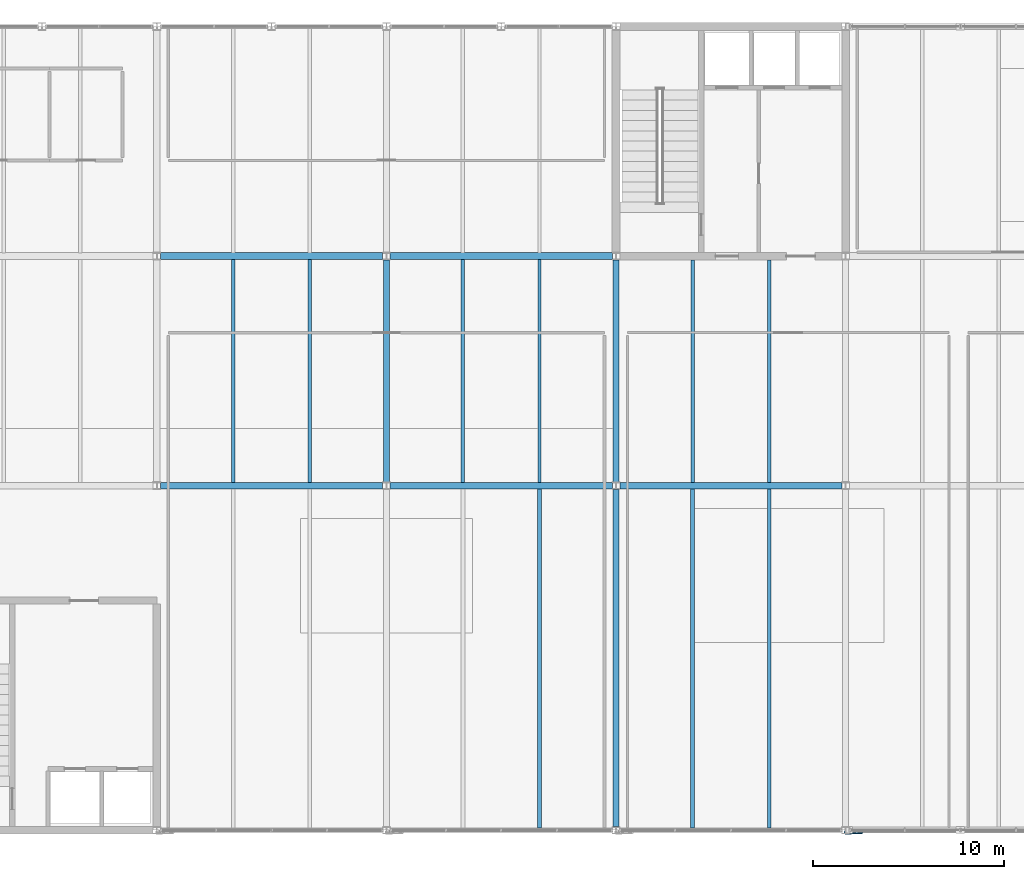
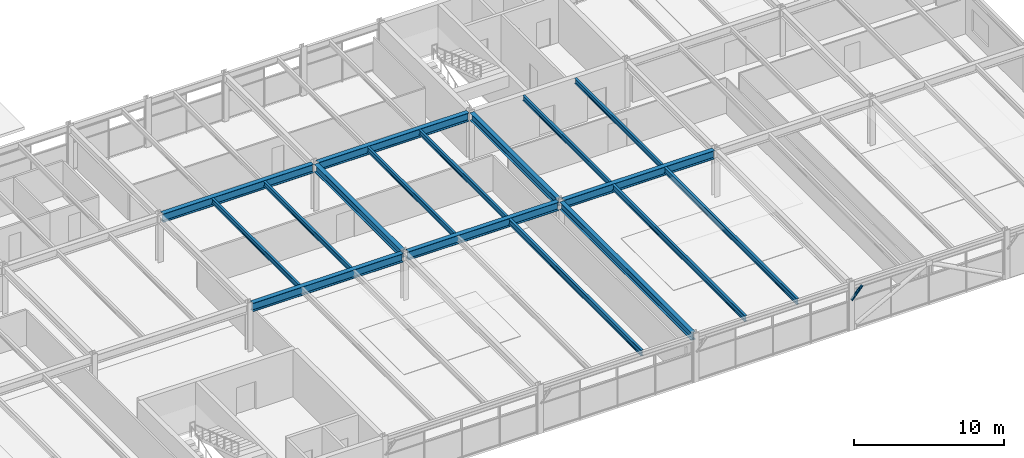
# One storey, part 30 of 49: 17 beams, 1 member.
"""IFC4 building model written with IfcOpenShell, lengths in metres."""

from ifc_helpers import new_model, si_unit, direction, frame, origin, origin_2d, place, context, subcontext, project, spatial, hollow_circle, i_section, extrude, material, material_profile, profile_set, type_object, element, save


model = new_model("IFC4")

# Units and contexts
model_context = context("Model", 3, precision=1e-05, world=origin(), true_north=direction((0.0, 1.0)))
body_context = subcontext(model_context, "Body", "Model", "MODEL_VIEW")
ifc_project = project(units=[si_unit("LENGTHUNIT", "METRE"), si_unit("AREAUNIT", "SQUARE_METRE"), si_unit("VOLUMEUNIT", "CUBIC_METRE"), si_unit("PLANEANGLEUNIT", "RADIAN"), si_unit("MASSUNIT", "GRAM", prefix="KILO")], contexts=[model_context])

# Site, building, storey
site_placement = place(None, origin())
site = spatial("IfcSite", under=ifc_project, at=site_placement, CompositionType="ELEMENT")
building_placement = place(site_placement, origin())
building = spatial("IfcBuilding", under=site, at=building_placement, Name="Girod Span Mobility Hub", CompositionType="ELEMENT")
storey_placement = place(building_placement, frame((0.0, 0.0, 37.60009765625)))
storey = spatial("IfcBuildingStorey", under=building, at=storey_placement, Name="L09", CompositionType="ELEMENT", Elevation=37.60009765625)

# Beams
ifc_material_1 = material(Name="Steel A992 Grade 50", Category="steel")
ifc_material_profile_1 = material_profile(ifc_material_1, i_section(OverallWidth=0.178955078125, OverallDepth=0.409912109375, WebThickness=0.0087890625, FlangeThickness=0.014404296875, FilletRadius=0.012939453125, at=origin_2d()), Name="W16X45")
ifc_profile_set_1 = profile_set([ifc_material_profile_1], Name="Steel A992 Grade 50")
beam_type_1 = type_object("IfcBeamType", Name="BM-STL-W16X45", PredefinedType="BEAM", material=ifc_profile_set_1)
for number, where, z_axis, x_axis, name in (
    (1, (88.0, 45.174560546875, 3.6298828125), (0.0, 1.0, 0.0), (-1.0, 0.0, 0.0), "Composite Floorbeam 8/D-1 L09"),
    (2, (92.0, 45.174560546875, 3.6298828125), (0.0, 1.0, 0.0), (-1.0, 0.0, 0.0), "Composite Floorbeam 8/D-2 L09"),
    (3, (100.0, 45.174560546875, 3.6298828125), (0.0, 1.0, 0.0), (-1.0, 0.0, 0.0), "Composite Floorbeam 9/D-1 L09"),
    (4, (104.0, 45.174560546875, 3.6298828125), (0.0, 1.0, 0.0), (-1.0, 0.0, 0.0), "Composite Floorbeam 9/D-2 L09"),
):
    element("IfcBeam", number, at=place(storey_placement, frame(where, z_axis=z_axis, x_axis=x_axis)), inside=storey, type_object=beam_type_1, Name=name, PredefinedType="BEAM", context=body_context, shape_type="SweptSolid", body=[
        extrude(i_section(OverallWidth=0.178955078125, OverallDepth=0.409912109375, WebThickness=0.0087890625, FlangeThickness=0.014404296875, FilletRadius=0.012939453125, at=origin_2d()), origin(), (0.0, 0.0, 1.0), 11.65087890625),
    ])
for number, where, z_axis, x_axis, name in (
    (5, (112.0, 45.174560546875, 3.6298828125), (0.0, 1.0, 0.0), (-1.0, 0.0, 0.0), "Composite Floorbeam 10/D-1 L09"),
    (6, (116.0, 45.174560546875, 3.6298828125), (0.0, 1.0, 0.0), (-1.0, 0.0, 0.0), "Composite Floorbeam 10/D-2 L09"),
):
    element("IfcBeam", number, at=place(storey_placement, frame(where, z_axis=z_axis, x_axis=x_axis)), inside=storey, type_object=beam_type_1, Name=name, PredefinedType="BEAM", context=body_context, shape_type="SweptSolid", body=[
        extrude(i_section(OverallWidth=0.178955078125, OverallDepth=0.409912109375, WebThickness=0.0087890625, FlangeThickness=0.014404296875, FilletRadius=0.012939453125, at=origin_2d()), origin(), (0.0, 0.0, 1.0), 11.62841796875),
    ])
ifc_material_2 = material(Name="Steel A992 Grade 50", Category="steel")
ifc_material_profile_2 = material_profile(ifc_material_2, i_section(OverallWidth=0.19189453125, OverallDepth=0.462890625, WebThickness=0.010498046875, FlangeThickness=0.017578125, FilletRadius=0.013916015625, at=origin_2d()), Name="W18X60")
ifc_profile_set_2 = profile_set([ifc_material_profile_2], Name="Steel A992 Grade 50")
beam_type_2 = type_object("IfcBeamType", Name="BM-STL-W18X60", PredefinedType="BEAM", material=ifc_profile_set_2)
for number, where, z_axis, x_axis, name in (
    (7, (104.0, 27.10302734375, 3.603515625), (0.0, 1.0, 0.0), (-1.0, 0.0, 0.0), "Composite Floorbeam 9/C-2 L09"),
    (8, (112.0, 27.10302734375, 3.603515625), (0.0, 1.0, 0.0), (-1.0, 0.0, 0.0), "Composite Floorbeam 10/C-1 L09"),
    (9, (116.0, 27.10302734375, 3.603515625), (0.0, 1.0, 0.0), (-1.0, 0.0, 0.0), "Composite Floorbeam 10/C-2 L09"),
):
    element("IfcBeam", number, at=place(storey_placement, frame(where, z_axis=z_axis, x_axis=x_axis)), inside=storey, type_object=beam_type_2, Name=name, PredefinedType="BEAM", context=body_context, shape_type="SweptSolid", body=[
        extrude(i_section(OverallWidth=0.19189453125, OverallDepth=0.462890625, WebThickness=0.010498046875, FlangeThickness=0.017578125, FilletRadius=0.013916015625, at=origin_2d()), origin(), (0.0, 0.0, 1.0), 17.722412109375),
    ])
ifc_material_3 = material(Name="Steel A992 Grade 50", Category="steel")
ifc_material_profile_3 = material_profile(ifc_material_3, i_section(OverallWidth=0.323974609375, OverallDepth=0.611083984375, WebThickness=0.0126953125, FlangeThickness=0.01904296875, FilletRadius=0.014892578125, at=origin_2d()), Name="W24X104")
ifc_profile_set_3 = profile_set([ifc_material_profile_3], Name="Steel A992 Grade 50")
beam_type_3 = type_object("IfcBeamType", Name="BM-STL-W24X104", PredefinedType="BEAM", material=ifc_profile_set_3)
beam_1_placement = place(storey_placement, frame((96.0, 45.193603515625, 3.529296875), z_axis=(0.0, 1.0, 0.0), x_axis=(-1.0, 0.0, 0.0)))
element("IfcBeam", 10, at=beam_1_placement, inside=storey, type_object=beam_type_3, Name="Tie Girder 9/D-E L09", PredefinedType="BEAM", context=body_context, shape_type="SweptSolid", body=[
    extrude(i_section(OverallWidth=0.323974609375, OverallDepth=0.611083984375, WebThickness=0.0126953125, FlangeThickness=0.01904296875, FilletRadius=0.014892578125, at=origin_2d()), origin(), (0.0, 0.0, 1.0), 11.61279296875),
])
beam_2_placement = place(storey_placement, frame((108.0, 27.1845703125, 3.529296875), z_axis=(0.0, 1.0, 0.0), x_axis=(-1.0, 0.0, 0.0)))
element("IfcBeam", 11, at=beam_2_placement, inside=storey, type_object=beam_type_3, Name="Tie Girder 10/C-D L09", PredefinedType="BEAM", context=body_context, shape_type="SweptSolid", body=[
    extrude(i_section(OverallWidth=0.323974609375, OverallDepth=0.611083984375, WebThickness=0.0126953125, FlangeThickness=0.01904296875, FilletRadius=0.014892578125, at=origin_2d()), origin(), (0.0, 0.0, 1.0), 17.621826171875),
])
beam_3_placement = place(storey_placement, frame((108.0, 45.193603515625, 3.529296875), z_axis=(0.0, 1.0, 0.0), x_axis=(-1.0, 0.0, 0.0)))
element("IfcBeam", 12, at=beam_3_placement, inside=storey, type_object=beam_type_3, Name="Tie Girder 10/D-E L09", PredefinedType="BEAM", context=body_context, shape_type="SweptSolid", body=[
    extrude(i_section(OverallWidth=0.323974609375, OverallDepth=0.611083984375, WebThickness=0.0126953125, FlangeThickness=0.01904296875, FilletRadius=0.014892578125, at=origin_2d()), origin(), (0.0, 0.0, 1.0), 11.61279296875),
])
ifc_material_4 = material(Name="Steel A992 Grade 50", Category="steel")
ifc_material_profile_4 = material_profile(ifc_material_4, i_section(OverallWidth=0.35498046875, OverallDepth=0.695068359375, WebThickness=0.015380859375, FlangeThickness=0.02490234375, FilletRadius=0.01806640625, at=origin_2d()), Name="W27X146")
ifc_profile_set_4 = profile_set([ifc_material_profile_4], Name="Steel A992 Grade 50")
beam_type_4 = type_object("IfcBeamType", Name="BM-STL-W27X146", PredefinedType="BEAM", material=ifc_profile_set_4)
for number, where, z_axis, x_axis, name in (
    (13, (84.196533203125, 45.0, 3.4873046875), (1.0, 0.0, 0.0), (0.0, 1.0, 0.0), "Girder 8-9/D L09"),
    (14, (96.196533203125, 45.0, 3.4873046875), (1.0, 0.0, 0.0), (0.0, 1.0, 0.0), "Girder 9-10/D L09"),
    (15, (108.196533203125, 45.0, 3.4873046875), (1.0, 0.0, 0.0), (0.0, 1.0, 0.0), "Girder 10-11/D L09"),
    (16, (84.196533203125, 57.0, 3.4873046875), (1.0, 0.0, 0.0), (0.0, 1.0, 0.0), "Girder 8-9/E L09"),
    (17, (96.196533203125, 57.0, 3.4873046875), (1.0, 0.0, 0.0), (0.0, 1.0, 0.0), "Girder 9-10/E L09"),
):
    element("IfcBeam", number, at=place(storey_placement, frame(where, z_axis=z_axis, x_axis=x_axis)), inside=storey, type_object=beam_type_4, Name=name, PredefinedType="BEAM", context=body_context, shape_type="SweptSolid", body=[
        extrude(i_section(OverallWidth=0.35498046875, OverallDepth=0.695068359375, WebThickness=0.015380859375, FlangeThickness=0.02490234375, FilletRadius=0.01806640625, at=origin_2d()), origin(), (0.0, 0.0, 1.0), 11.60693359375),
    ])

# Member
ifc_material_5 = material(Name="Steel HSS A500 Grade C", Category="steel")
ifc_material_profile_5 = material_profile(ifc_material_5, hollow_circle(Radius=0.109619140625, WallThickness=0.0087890625, at=origin_2d()), Name="HSS219X9.5")
ifc_profile_set_5 = profile_set([ifc_material_profile_5], Name="Steel HSS A500 Grade C")
member_type = type_object("IfcMemberType", Name="MB-ST-HSS219", PredefinedType="STRUT", material=ifc_profile_set_5)
member_placement = place(storey_placement, frame((120.0, 26.8798828125, 2.449951171875), z_axis=(0.684284972261, 0.032229389848, 0.728502122967), x_axis=(-0.047047213483, 0.998892666758, 0.0)))
element("IfcMember", 18, at=member_placement, inside=storey, type_object=member_type, Name="Solar Shading Knee Strut 11 L09", PredefinedType="STRUT", context=body_context, shape_type="SweptSolid", body=[
    extrude(hollow_circle(Radius=0.109619140625, WallThickness=0.0087890625, at=origin_2d()), origin(), (0.0, 0.0, 1.0), 1.242431640625),
])

save(model, "model.ifc")
